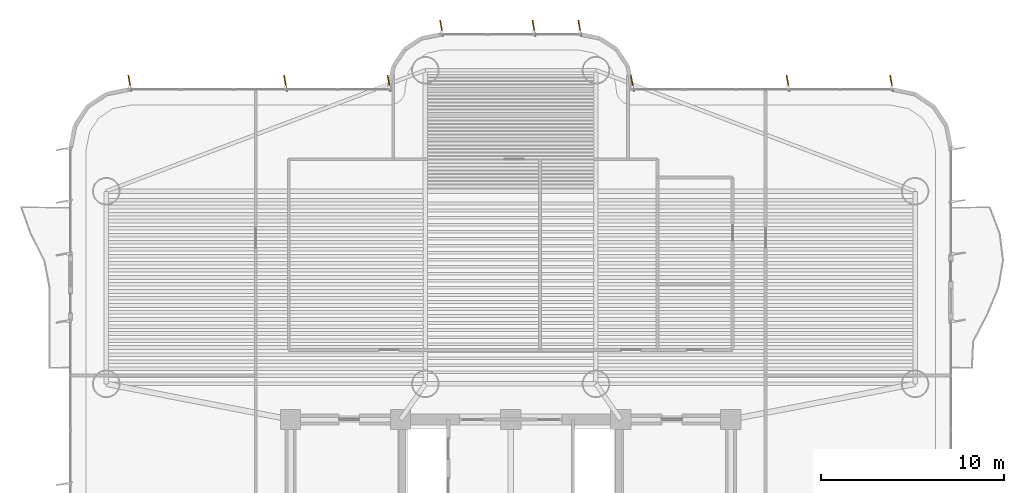
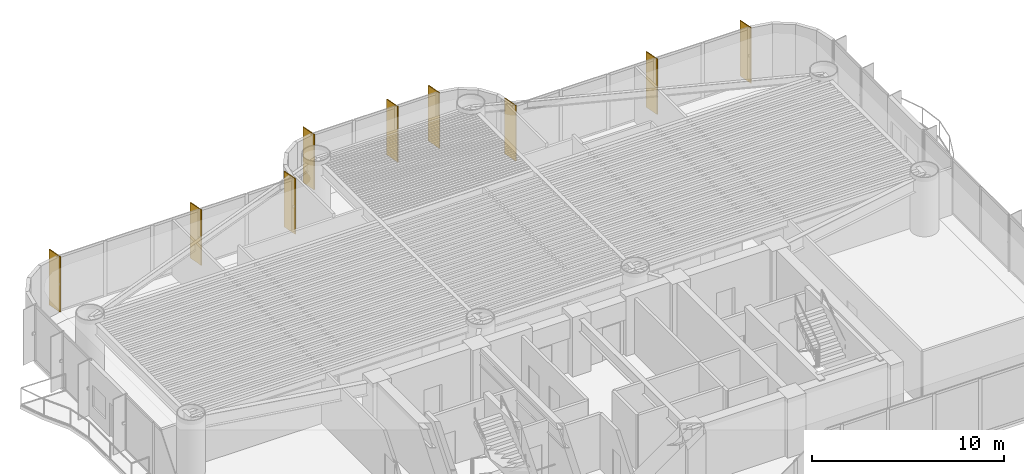
# One storey, part 16 of 16: 9 shading devices.
"""IFC4 building model written with IfcOpenShell, lengths in metres."""

import ifcopenshell
import ifcopenshell.guid

model = None  # the IFC model being written
_history = None  # IfcOwnerHistory: only IFC2X3 demands one
_inside = {}  # id of a spatial element -> (the spatial element, [elements in it])
_under = {}  # id of a project, library or spatial element -> (it, [spatial elements below it])
_declared = {}  # id of a project -> (the project, [libraries it declares])
_typed = {}  # id of a type object -> (the type object, [elements of that type])
_made_of = {}  # id of a material, layer set ... -> (it, [elements and type objects made of it])


def new_model(schema):
    """Start an empty IFC model of exactly this schema.

    Asked for "IFC4X3", IfcOpenShell would pick the latest addendum, in which some entities
    have other attributes; the version numbers below select the first issue.
    IFC2X3 requires an IfcOwnerHistory on every rooted entity: one is made here for all.
    """
    global model, _history
    if schema == "IFC4X3":
        model = ifcopenshell.file(schema_version=(4, 3, 0, 0))
    else:
        model = ifcopenshell.file(schema=schema)
    _inside.clear()
    _under.clear()
    _declared.clear()
    _typed.clear()
    _made_of.clear()
    _history = None
    if model.schema == "IFC2X3":
        org = make("IfcOrganization", Name="unknown")
        user = make(
            "IfcPersonAndOrganization",
            ThePerson=make("IfcPerson", FamilyName="unknown"),
            TheOrganization=org,
        )
        app = make(
            "IfcApplication",
            ApplicationDeveloper=org,
            Version="unknown",
            ApplicationFullName="unknown",
            ApplicationIdentifier="unknown",
        )
        _history = make(
            "IfcOwnerHistory",
            OwningUser=user,
            OwningApplication=app,
            ChangeAction="ADDED",
            CreationDate=0,
        )
    return model


def make(cls, **values):
    """One entity of the class cls with the attributes given. An attribute that is None is left unset."""
    return model.create_entity(
        cls, **{name: value for name, value in values.items() if value is not None}
    )


def rooted(cls, **values):
    """An entity with a GlobalId (a new one), such as an element, a storey or a relation."""
    return make(cls, GlobalId=ifcopenshell.guid.new(), OwnerHistory=_history, **values)


def si_unit(unit_type, name, prefix=None):
    """IfcSIUnit, for example si_unit("LENGTHUNIT", "METRE", prefix="MILLI")."""
    return make("IfcSIUnit", UnitType=unit_type, Prefix=prefix, Name=name)


def assignment(units):
    """IfcUnitAssignment: the units of a project."""
    return None if units is None else make("IfcUnitAssignment", Units=units)


def point(xyz):
    """IfcCartesianPoint."""
    return None if xyz is None else make("IfcCartesianPoint", Coordinates=xyz)


def direction(xyz):
    """IfcDirection."""
    return None if xyz is None else make("IfcDirection", DirectionRatios=xyz)


def frame(location, z_axis=None, x_axis=None):
    """IfcAxis2Placement3D, a coordinate frame: its origin and axes. An axis left out is left unset."""
    return make(
        "IfcAxis2Placement3D",
        Location=point(location),
        Axis=direction(z_axis),
        RefDirection=direction(x_axis),
    )


def frame_2d(location, x_axis=None):
    """IfcAxis2Placement2D, a coordinate frame in the plane: its origin and x axis."""
    return make(
        "IfcAxis2Placement2D", Location=point(location), RefDirection=direction(x_axis)
    )


def origin():
    """The frame at (0, 0, 0) with its axes left unset."""
    return frame((0.0, 0.0, 0.0))


def origin_2d():
    """The frame at (0, 0) in the plane with its x axis left unset."""
    return frame_2d((0.0, 0.0))


def place(relative_to, where):
    """IfcLocalPlacement: puts the frame where relative to a parent placement (None: the world)."""
    return make(
        "IfcLocalPlacement", PlacementRelTo=relative_to, RelativePlacement=where
    )


def context(
    kind, dimensions, precision=None, world=None, true_north=None, identifier=None
):
    """IfcGeometricRepresentationContext, for example the 3D "Model" context."""
    return make(
        "IfcGeometricRepresentationContext",
        ContextIdentifier=identifier,
        ContextType=kind,
        CoordinateSpaceDimension=dimensions,
        Precision=precision,
        WorldCoordinateSystem=world,
        TrueNorth=true_north,
    )


def subcontext(parent, identifier, kind, view, scale=None):
    """IfcGeometricRepresentationSubContext, for example "Body" below "Model"."""
    return make(
        "IfcGeometricRepresentationSubContext",
        ContextIdentifier=identifier,
        ContextType=kind,
        ParentContext=parent,
        TargetScale=scale,
        TargetView=view,
    )


def project(units=None, contexts=None):
    """IfcProject with its units and contexts."""
    return rooted(
        "IfcProject",
        Name="project",
        RepresentationContexts=contexts,
        UnitsInContext=assignment(units),
    )


def spatial(cls, under=None, at=None, **own):
    """A site, building, storey or space (cls), placed at a placement, below another one or the project."""
    s = rooted(cls, ObjectPlacement=at, **own)
    if under is not None:
        _under.setdefault(under.id(), (under, []))[1].append(s)
    return s


def profile(cls, at=None, kind="AREA", **sizes):
    """A parametric profile (cls). Its sizes go by their IFC names, for example OverallWidth=200.0."""
    return make(cls, ProfileType=kind, Position=at, **sizes)


def rectangle(**sizes):
    """IfcRectangleProfileDef."""
    return profile("IfcRectangleProfileDef", **sizes)


def extrude(swept, where, along, depth):
    """IfcExtrudedAreaSolid: the profile swept, set in the frame where, extruded along a direction by depth."""
    return make(
        "IfcExtrudedAreaSolid",
        SweptArea=swept,
        Position=where,
        ExtrudedDirection=direction(along),
        Depth=depth,
    )


def shape(context_of_items, identifier, shape_type, items):
    """IfcShapeRepresentation: the items that make up one representation, for example the "Body"."""
    return make(
        "IfcShapeRepresentation",
        ContextOfItems=context_of_items,
        RepresentationIdentifier=identifier,
        RepresentationType=shape_type,
        Items=items,
    )


def source(mapping_origin, context_of_items, identifier, shape_type, items):
    """IfcRepresentationMap: a shape defined once, which mapped items show again and again."""
    return make(
        "IfcRepresentationMap",
        MappingOrigin=mapping_origin,
        MappedRepresentation=shape(context_of_items, identifier, shape_type, items),
    )


def transform(
    local_origin,
    x_axis=None,
    y_axis=None,
    z_axis=None,
    scale=None,
    scale2=None,
    scale3=None,
    uniform=True,
):
    """IfcCartesianTransformationOperator3D, or its non-uniform kind. x_axis, y_axis, z_axis: its Axis1, 2, 3."""
    if uniform:
        return make(
            "IfcCartesianTransformationOperator3D",
            Axis1=direction(x_axis),
            Axis2=direction(y_axis),
            LocalOrigin=point(local_origin),
            Scale=scale,
            Axis3=direction(z_axis),
        )
    return make(
        "IfcCartesianTransformationOperator3DnonUniform",
        Axis1=direction(x_axis),
        Axis2=direction(y_axis),
        LocalOrigin=point(local_origin),
        Scale=scale,
        Axis3=direction(z_axis),
        Scale2=scale2,
        Scale3=scale3,
    )


def mapped(mapping_source, mapping_target):
    """IfcMappedItem: shows the shape of a source again, moved by a transform."""
    return make(
        "IfcMappedItem", MappingSource=mapping_source, MappingTarget=mapping_target
    )


def material(Name=None, Category=None):
    """IfcMaterial."""
    return make("IfcMaterial", Name=Name, Category=Category)


def material_profile(
    of_material, cross_section, Name=None, Category=None, Priority=None
):
    """IfcMaterialProfile: a cross section and its material."""
    return make(
        "IfcMaterialProfile",
        Name=Name,
        Material=of_material,
        Profile=cross_section,
        Priority=Priority,
        Category=Category,
    )


def profile_set(profiles, Name=None, composite=None):
    """IfcMaterialProfileSet."""
    return make(
        "IfcMaterialProfileSet",
        Name=Name,
        MaterialProfiles=profiles,
        CompositeProfile=composite,
    )


def made_of(thing, what):
    """Note that an element or type object is made of a material, layer set ...; save() writes the relation."""
    if what is not None:
        _made_of.setdefault(what.id(), (what, []))[1].append(thing)
    return thing


def type_object(cls, material=None, **own):
    """A type object (cls), such as IfcWallType, which elements share."""
    return made_of(rooted(cls, **own), material)


def element(
    cls,
    number,
    at=None,
    inside=None,
    cuts=None,
    type_object=None,
    material=None,
    context=None,
    identifier="Body",
    shape_type=None,
    held_by="IfcProductDefinitionShape",
    body=None,
    shapes=None,
    **own,
):
    """One element of the class cls, such as IfcWall. Its Tag is "e" and its number.

    at: its placement. inside: the storey or other place that contains it. cuts: it is an
    opening in that element (IfcRelVoidsElement). A single representation is given by context,
    identifier, shape_type and body (its items); several are given by shapes. held_by: the class
    of the entity that holds the representations. save() writes the other relations.
    """
    e = rooted(cls, Tag="e%d" % number, ObjectPlacement=at, **own)
    if body is not None:
        shapes = [shape(context, identifier, shape_type, body)]
    if shapes is not None:
        e.Representation = make(held_by, Representations=shapes)
    if inside is not None:
        _inside.setdefault(inside.id(), (inside, []))[1].append(e)
    if cuts is not None:
        rooted(
            "IfcRelVoidsElement", RelatingBuildingElement=cuts, RelatedOpeningElement=e
        )
    if type_object is not None:
        _typed.setdefault(type_object.id(), (type_object, []))[1].append(e)
    return made_of(e, material)


def aggregate(whole, parts):
    """IfcRelAggregates: a whole, such as a stair, and the parts it consists of."""
    return rooted("IfcRelAggregates", RelatingObject=whole, RelatedObjects=parts)


def save(model, path):
    """Write the relations noted so far, then the file.

    IfcRelAggregates (storeys below a building ...), IfcRelContainedInSpatialStructure (elements
    in a storey), IfcRelDefinesByType, IfcRelAssociatesMaterial and IfcRelDeclares: one each for
    every whole, place, type object, material and project.
    """
    for whole, parts in _under.values():
        aggregate(whole, parts)
    for where, things in _inside.values():
        rooted(
            "IfcRelContainedInSpatialStructure",
            RelatedElements=things,
            RelatingStructure=where,
        )
    for kind, things in _typed.values():
        rooted("IfcRelDefinesByType", RelatedObjects=things, RelatingType=kind)
    for what, things in _made_of.values():
        rooted("IfcRelAssociatesMaterial", RelatedObjects=things, RelatingMaterial=what)
    for by, libraries in _declared.values():
        rooted("IfcRelDeclares", RelatingContext=by, RelatedDefinitions=libraries)
    model.write(path)


model = new_model("IFC4")

# Units and contexts
model_context = context("Model", 3, precision=1e-05, world=origin(), true_north=direction((0.0, 1.0)))
body_context = subcontext(model_context, "Body", "Model", "MODEL_VIEW")
ifc_project = project(units=[si_unit("LENGTHUNIT", "METRE"), si_unit("AREAUNIT", "SQUARE_METRE"), si_unit("VOLUMEUNIT", "CUBIC_METRE"), si_unit("PLANEANGLEUNIT", "RADIAN"), si_unit("MASSUNIT", "GRAM", prefix="KILO")], contexts=[model_context])

# Site, building, storey
site_placement = place(None, origin())
site = spatial("IfcSite", under=ifc_project, at=site_placement, CompositionType="ELEMENT")
building_placement = place(site_placement, origin())
building = spatial("IfcBuilding", under=site, at=building_placement, Name="Brelvock Crest Care Tower", CompositionType="ELEMENT")
storey_placement = place(building_placement, frame((0.0, 0.0, 61.02001953125)))
storey = spatial("IfcBuildingStorey", under=building, at=storey_placement, Name="L15", CompositionType="ELEMENT", Elevation=61.02001953125)

# Shading devices
ifc_material = material(Name="Aluminium 6063-T6", Category="aluminium")
ifc_material_profile = material_profile(ifc_material, rectangle(XDim=0.054931640625, YDim=0.89990234375, at=origin_2d()), Name="FIN55x900")
ifc_profile_set = profile_set([ifc_material_profile], Name="Aluminium 6063-T6")
shading_device_type = type_object("IfcShadingDeviceType", Name="SHD-FIN1", PredefinedType="USERDEFINED", material=ifc_profile_set)
shared_shape = source(origin(), body_context, "Body", "SweptSolid", [
    extrude(rectangle(XDim=0.054931640625, YDim=0.89990234375, at=origin_2d()), origin(), (0.0, 0.0, 1.0), 3.530029296875),
])
for number, where, z_axis, x_axis, name in (
    (1, (15.232421875, 36.340087890625, 0.0), (0.0, 0.0, 1.0), (0.984807753012, 0.173648177667, 0.0), "L15 Vertical Sunshade Fin E18-01"),
    (2, (23.719970703125, 36.340087890625, 0.0), (0.0, 0.0, 1.0), (0.984807753012, 0.173648177667, 0.0), "L15 Vertical Sunshade Fin E18-04"),
    (3, (29.367431640625, 36.340087890625, 0.0), (0.0, 0.0, 1.0), (0.984807753012, 0.173648177667, 0.0), "L15 Vertical Sunshade Fin E18-06"),
    (4, (32.232421875, 39.340087890625, 0.0), (0.0, 0.0, 1.0), (0.984807753012, 0.173648177667, 0.0), "L15 Vertical Sunshade Fin E24-01"),
    (5, (37.2666015625, 39.340087890625, 0.0), (0.0, 0.0, 1.0), (0.984807753012, 0.173648177667, 0.0), "L15 Vertical Sunshade Fin E24-03"),
    (6, (39.767578125, 39.340087890625, 0.0), (0.0, 0.0, 1.0), (0.984807753012, 0.173648177667, 0.0), "L15 Vertical Sunshade Fin E24-04"),
    (7, (42.632568359375, 36.340087890625, 0.0), (0.0, 0.0, 1.0), (0.984807753012, 0.173648177667, 0.0), "L15 Vertical Sunshade Fin E30-01"),
    (8, (51.1201171875, 36.340087890625, 0.0), (0.0, 0.0, 1.0), (0.984807753012, 0.173648177667, 0.0), "L15 Vertical Sunshade Fin E30-04"),
    (9, (56.767578125, 36.340087890625, 0.0), (0.0, 0.0, 1.0), (0.984807753012, 0.173648177667, 0.0), "L15 Vertical Sunshade Fin E30-06"),
):
    element("IfcShadingDevice", number, at=place(storey_placement, frame(where, z_axis=z_axis, x_axis=x_axis)), inside=storey, type_object=shading_device_type, Name=name, ObjectType="FIN", PredefinedType="USERDEFINED", context=body_context, shape_type="MappedRepresentation", body=[
        mapped(shared_shape, transform((0.0, 0.0, 0.0), x_axis=(1.0, 0.0, 0.0), y_axis=(0.0, 1.0, 0.0), z_axis=(0.0, 0.0, 1.0), scale=1.0)),
    ])

save(model, "model.ifc")
